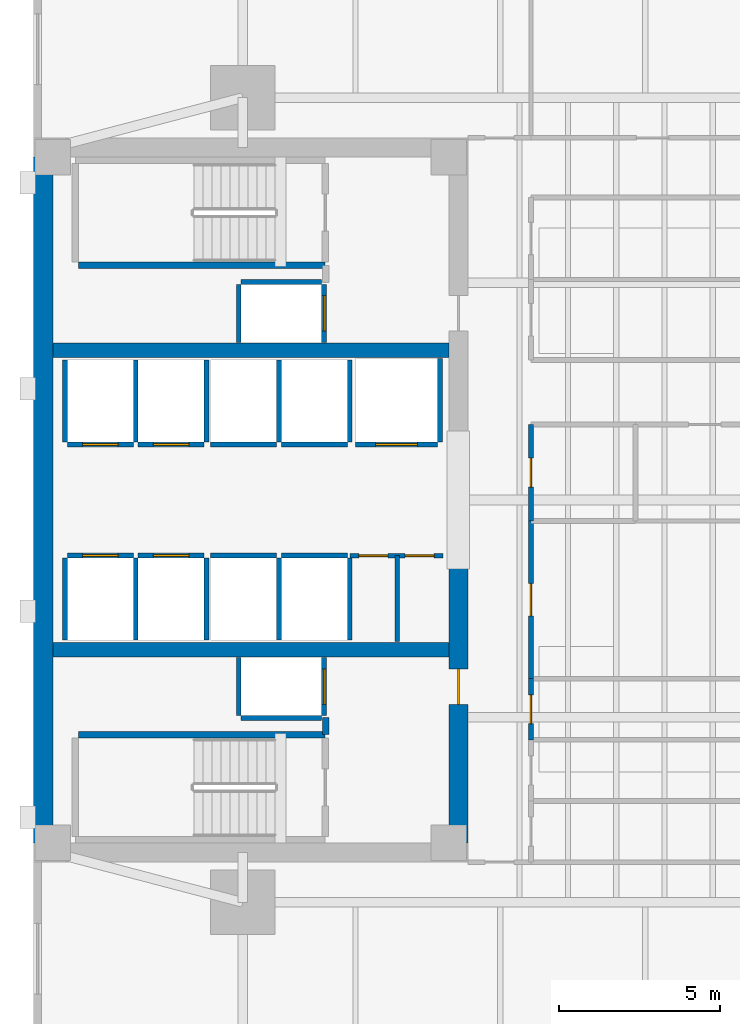
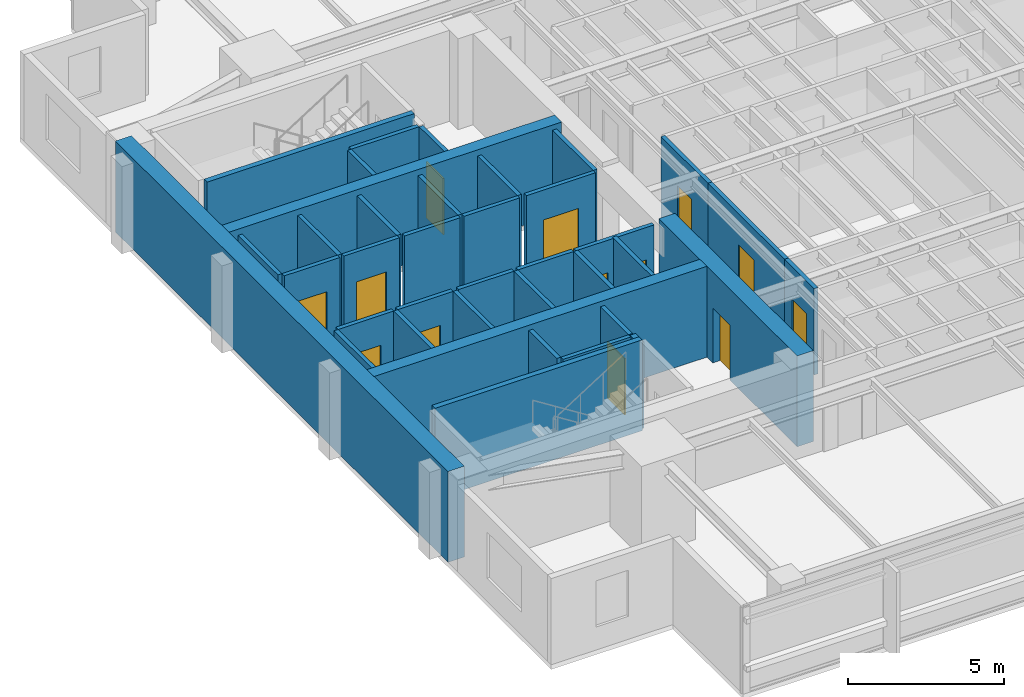
# One storey, part 8 of 14: 38 walls, 13 doors, 13 openings.
"""IFC4 building model written with IfcOpenShell, lengths in metres."""

from ifc_helpers import new_model, si_unit, direction, frame, frame_2d, origin, place, context, subcontext, project, spatial, rectangle, extrude, material, layer, layer_set, type_object, element, fill, save


model = new_model("IFC4")

# Units and contexts
model_context = context("Model", 3, precision=1e-05, world=origin(), true_north=direction((0.0, 1.0)))
body_context = subcontext(model_context, "Body", "Model", "MODEL_VIEW")
ifc_project = project(units=[si_unit("LENGTHUNIT", "METRE"), si_unit("AREAUNIT", "SQUARE_METRE"), si_unit("VOLUMEUNIT", "CUBIC_METRE"), si_unit("PLANEANGLEUNIT", "RADIAN"), si_unit("MASSUNIT", "GRAM", prefix="KILO")], contexts=[model_context])

# Site, building, storey
site_placement = place(None, origin())
site = spatial("IfcSite", under=ifc_project, at=site_placement, CompositionType="ELEMENT")
building_placement = place(site_placement, origin())
building = spatial("IfcBuilding", under=site, at=building_placement, Name="Kinhvarn Gate Tower", CompositionType="ELEMENT")
storey_placement = place(building_placement, frame((0.0, 0.0, 159.050048828125)))
storey = spatial("IfcBuildingStorey", under=building, at=storey_placement, Name="L42", CompositionType="ELEMENT", Elevation=159.050048828125)

# Walls
ifc_material_1 = material(Name="Concrete C50/60", Category="concrete")
ifc_layer_1 = layer(ifc_material_1, 0.449951171875)
ifc_layer_set_1 = layer_set([ifc_layer_1], Name="Concrete C50/60")
wall_type_1 = type_object("IfcWallType", Name="WL-CORE-450", PredefinedType="SHEAR", material=ifc_layer_set_1)
for number, where, z_axis, x_axis, name in (
    (1, (5.10009765625, 20.60009765625, 0.0), (0.0, 0.0, 1.0), (1.0, 0.0, 0.0), "Core South Spine Shear Wall L42 450 mm"),
    (2, (5.10009765625, 29.89990234375, 0.0), (0.0, 0.0, 1.0), (1.0, 0.0, 0.0), "Core North Spine Shear Wall L42 450 mm"),
):
    element("IfcWall", number, at=place(storey_placement, frame(where, z_axis=z_axis, x_axis=x_axis)), inside=storey, type_object=wall_type_1, Name=name, PredefinedType="SHEAR", context=body_context, shape_type="SweptSolid", body=[
        extrude(rectangle(XDim=12.2998046875, YDim=0.449951171875, at=frame_2d((6.14990234375, 0.0))), origin(), (0.0, 0.0, 1.0), 3.550048828125),
    ])

# Wall, opening, door
ifc_material_2 = material(Name="Concrete C60/75", Category="concrete")
ifc_layer_2 = layer(ifc_material_2, 0.60009765625)
ifc_layer_set_2 = layer_set([ifc_layer_2], Name="Concrete C60/75")
wall_type_2 = type_object("IfcWallType", Name="WL-CORE-600", PredefinedType="SHEAR", material=ifc_layer_set_2)
wall_1_placement = place(storey_placement, frame((17.699951171875, 14.60009765625, 0.0), z_axis=(0.0, 0.0, 1.0), x_axis=(0.0, 1.0, 0.0)))
wall_1 = element("IfcWall", 3, at=wall_1_placement, inside=storey, type_object=wall_type_2, Name="Core East-South Shear Pier L42 600 mm", PredefinedType="SHEAR", context=body_context, shape_type="SweptSolid", body=[
    extrude(rectangle(XDim=8.849853515625, YDim=0.60009765625, at=frame_2d((4.4248046875, 0.0))), origin(), (0.0, 0.0, 1.0), 3.550048828125),
])
opening_1_placement = place(wall_1_placement, frame((4.300048828125, 0.0, 0.0)))
opening_1 = element("IfcOpeningElement", 4, at=opening_1_placement, cuts=wall_1, Name="Opening FD-02", PredefinedType="OPENING", context=body_context, shape_type="SweptSolid", body=[
    extrude(rectangle(XDim=1.10009765625, YDim=2.14990234375, at=frame_2d((0.550048828125, 1.074951171875))), frame((0.0, 0.31005859375, 0.0), z_axis=(0.0, -1.0, 0.0), x_axis=(1.0, 0.0, 0.0)), (0.0, 0.0, 1.0), 0.6201171875),
])
ifc_material_3 = material(Name="Anodised aluminium AW-6063", Category="aluminium")
door_type_1 = type_object("IfcDoorType", Name="DR-FD-1100", OperationType="NOTDEFINED", PredefinedType="DOOR", material=ifc_material_3)
door_1_placement = place(opening_1_placement, origin())
door_1 = element("IfcDoor", 5, at=door_1_placement, inside=storey, type_object=door_type_1, Name="Firefighting Lobby Core Door (L42)", OperationType="SINGLE_SWING_RIGHT", OverallHeight=2.14990234375, OverallWidth=1.10009765625, PredefinedType="DOOR", context=body_context, shape_type="SweptSolid", body=[
    extrude(rectangle(XDim=1.10009765625, YDim=2.14990234375, at=frame_2d((0.550048828125, 1.074951171875))), frame((0.0, 0.02490234375, 0.0), z_axis=(0.0, -1.0, 0.0), x_axis=(1.0, 0.0, 0.0)), (0.0, 0.0, 1.0), 0.050048828125),
])
fill(opening_1, door_1)

# Wall
ifc_layer_3 = layer(ifc_material_2, 0.60009765625)
ifc_layer_set_3 = layer_set([ifc_layer_3], Name="Concrete C60/75")
wall_type_3 = type_object("IfcWallType", Name="WL-COREX-600", PredefinedType="SHEAR", material=ifc_layer_set_3)
wall_2_placement = place(storey_placement, frame((4.800048828125, 14.60009765625, 0.0), z_axis=(0.0, 0.0, 1.0), x_axis=(0.0, 1.0, 0.0)))
element("IfcWall", 6, at=wall_2_placement, inside=storey, type_object=wall_type_3, Name="Core West Shear Wall L42 600 mm", PredefinedType="SHEAR", context=body_context, shape_type="SweptSolid", body=[
    extrude(rectangle(XDim=21.2998046875, YDim=0.60009765625, at=frame_2d((10.64990234375, 0.0))), origin(), (0.0, 0.0, 1.0), 3.550048828125),
])

# Wall, opening, door
ifc_material_4 = material(Name="Gypsum acoustic partition board")
ifc_layer_4 = layer(ifc_material_4, 0.14990234375)
ifc_layer_set_4 = layer_set([ifc_layer_4], Name="Gypsum acoustic partition board")
wall_type_4 = type_object("IfcWallType", Name="WL-PLM-150F", PredefinedType="PLUMBINGWALL", material=ifc_layer_set_4)
wall_3_placement = place(storey_placement, frame((19.949951171875, 24.60009765625, 0.0), z_axis=(0.0, 0.0, 1.0), x_axis=(0.0, 1.0, 0.0)))
wall_3 = element("IfcWall", 7, at=wall_3_placement, inside=storey, type_object=wall_type_4, Name="Interior Partition PLW-150F (L42)", PredefinedType="PLUMBINGWALL", context=body_context, shape_type="SweptSolid", body=[
    extrude(rectangle(XDim=3.0, YDim=0.14990234375, at=frame_2d((1.5, 0.0))), origin(), (0.0, 0.0, 1.0), 3.369873046875),
])
opening_2_placement = place(wall_3_placement, frame((1.050048828125, 0.0, 0.0)))
opening_2 = element("IfcOpeningElement", 8, at=opening_2_placement, cuts=wall_3, Name="Opening FD-04", PredefinedType="OPENING", context=body_context, shape_type="SweptSolid", body=[
    extrude(rectangle(XDim=0.89990234375, YDim=2.10009765625, at=frame_2d((0.449951171875, 1.050048828125))), frame((0.0, 0.0849609375, 0.0), z_axis=(0.0, -1.0, 0.0), x_axis=(1.0, 0.0, 0.0)), (0.0, 0.0, 1.0), 0.169921875),
])
door_type_2 = type_object("IfcDoorType", Name="DR-FD-900", OperationType="NOTDEFINED", PredefinedType="DOOR", material=ifc_material_3)
door_2_placement = place(opening_2_placement, origin())
door_2 = element("IfcDoor", 9, at=door_2_placement, inside=storey, type_object=door_type_2, Name="Rated Riser & Service Closet Fire Door 900x2100 mm (L42)", OperationType="SINGLE_SWING_LEFT", OverallHeight=2.10009765625, OverallWidth=0.89990234375, PredefinedType="DOOR", context=body_context, shape_type="SweptSolid", body=[
    extrude(rectangle(XDim=0.89990234375, YDim=2.10009765625, at=frame_2d((0.449951171875, 1.050048828125))), frame((0.0, 0.02490234375, 0.0), z_axis=(0.0, -1.0, 0.0), x_axis=(1.0, 0.0, 0.0)), (0.0, 0.0, 1.0), 0.050048828125),
])
fill(opening_2, door_2)

wall_4_placement = place(storey_placement, frame((19.949951171875, 17.800048828125, 0.0), z_axis=(0.0, 0.0, 1.0), x_axis=(0.0, 1.0, 0.0)))
wall_4 = element("IfcWall", 10, at=wall_4_placement, inside=storey, type_object=wall_type_4, Name="Interior Partition PLW-150F (L42)", PredefinedType="PLUMBINGWALL", context=body_context, shape_type="SweptSolid", body=[
    extrude(rectangle(XDim=1.89990234375, YDim=0.14990234375, at=frame_2d((0.949951171875, 0.0))), origin(), (0.0, 0.0, 1.0), 3.369873046875),
])
opening_3_placement = place(wall_4_placement, frame((0.5, 0.0, 0.0)))
opening_3 = element("IfcOpeningElement", 11, at=opening_3_placement, cuts=wall_4, Name="Opening FD-04", PredefinedType="OPENING", context=body_context, shape_type="SweptSolid", body=[
    extrude(rectangle(XDim=0.89990234375, YDim=2.10009765625, at=frame_2d((0.449951171875, 1.050048828125))), frame((0.0, 0.0849609375, 0.0), z_axis=(0.0, -1.0, 0.0), x_axis=(1.0, 0.0, 0.0)), (0.0, 0.0, 1.0), 0.169921875),
])
door_3_placement = place(opening_3_placement, origin())
door_3 = element("IfcDoor", 12, at=door_3_placement, inside=storey, type_object=door_type_2, Name="Rated Riser & Service Closet Fire Door 900x2100 mm (L42)", OperationType="SINGLE_SWING_LEFT", OverallHeight=2.10009765625, OverallWidth=0.89990234375, PredefinedType="DOOR", context=body_context, shape_type="SweptSolid", body=[
    extrude(rectangle(XDim=0.89990234375, YDim=2.10009765625, at=frame_2d((0.449951171875, 1.050048828125))), frame((0.0, 0.02490234375, 0.0), z_axis=(0.0, -1.0, 0.0), x_axis=(1.0, 0.0, 0.0)), (0.0, 0.0, 1.0), 0.050048828125),
])
fill(opening_3, door_3)

# Wall
ifc_layer_5 = layer(ifc_material_4, 0.14990234375)
ifc_layer_set_5 = layer_set([ifc_layer_5], Name="Gypsum acoustic partition board")
wall_type_5 = type_object("IfcWallType", Name="WL-PRT-150F", PredefinedType="PARTITIONING", material=ifc_layer_set_5)
wall_5_placement = place(storey_placement, frame((15.800048828125, 20.85009765625, 0.0), z_axis=(0.0, 0.0, 1.0), x_axis=(0.0, 1.0, 0.0)))
element("IfcWall", 13, at=wall_5_placement, inside=storey, type_object=wall_type_5, Name="Interior Partition PW-150F (L42)", PredefinedType="PARTITIONING", context=body_context, shape_type="SweptSolid", body=[
    extrude(rectangle(XDim=2.669921875, YDim=0.14990234375, at=frame_2d((1.3349609375, 0.0))), origin(), (0.0, 0.0, 1.0), 3.369873046875),
])

# Wall, openings, doors
wall_6_placement = place(storey_placement, frame((14.330078125, 23.52001953125, 0.0), z_axis=(0.0, 0.0, 1.0), x_axis=(1.0, 0.0, 0.0)))
wall_6 = element("IfcWall", 14, at=wall_6_placement, inside=storey, type_object=wall_type_5, Name="Interior Partition PW-150F (L42)", PredefinedType="PARTITIONING", context=body_context, shape_type="SweptSolid", body=[
    extrude(rectangle(XDim=2.889892578125, YDim=0.14990234375, at=frame_2d((1.44482421875, 0.0))), origin(), (0.0, 0.0, 1.0), 3.369873046875),
])
opening_4_placement = place(wall_6_placement, frame((0.280029296875, 0.0, 0.0)))
opening_4 = element("IfcOpeningElement", 15, at=opening_4_placement, cuts=wall_6, Name="Opening FD-04", PredefinedType="OPENING", context=body_context, shape_type="SweptSolid", body=[
    extrude(rectangle(XDim=0.89990234375, YDim=2.10009765625, at=frame_2d((0.449951171875, 1.050048828125))), frame((0.0, 0.0849609375, 0.0), z_axis=(0.0, -1.0, 0.0), x_axis=(1.0, 0.0, 0.0)), (0.0, 0.0, 1.0), 0.169921875),
])
opening_5_placement = place(wall_6_placement, frame((1.7099609375, 0.0, 0.0)))
opening_5 = element("IfcOpeningElement", 16, at=opening_5_placement, cuts=wall_6, Name="Opening FD-04", PredefinedType="OPENING", context=body_context, shape_type="SweptSolid", body=[
    extrude(rectangle(XDim=0.89990234375, YDim=2.10009765625, at=frame_2d((0.449951171875, 1.050048828125))), frame((0.0, 0.0849609375, 0.0), z_axis=(0.0, -1.0, 0.0), x_axis=(1.0, 0.0, 0.0)), (0.0, 0.0, 1.0), 0.169921875),
])
door_4_placement = place(opening_4_placement, origin())
door_4 = element("IfcDoor", 17, at=door_4_placement, inside=storey, type_object=door_type_2, Name="Rated Riser & Service Closet Fire Door 900x2100 mm (L42)", OperationType="SINGLE_SWING_LEFT", OverallHeight=2.10009765625, OverallWidth=0.89990234375, PredefinedType="DOOR", context=body_context, shape_type="SweptSolid", body=[
    extrude(rectangle(XDim=0.89990234375, YDim=2.10009765625, at=frame_2d((0.449951171875, 1.050048828125))), frame((0.0, 0.02490234375, 0.0), z_axis=(0.0, -1.0, 0.0), x_axis=(1.0, 0.0, 0.0)), (0.0, 0.0, 1.0), 0.050048828125),
])
fill(opening_4, door_4)
door_5_placement = place(opening_5_placement, origin())
door_5 = element("IfcDoor", 18, at=door_5_placement, inside=storey, type_object=door_type_2, Name="Rated Riser & Service Closet Fire Door 900x2100 mm (L42)", OperationType="SINGLE_SWING_RIGHT", OverallHeight=2.10009765625, OverallWidth=0.89990234375, PredefinedType="DOOR", context=body_context, shape_type="SweptSolid", body=[
    extrude(rectangle(XDim=0.89990234375, YDim=2.10009765625, at=frame_2d((0.449951171875, 1.050048828125))), frame((0.0, 0.02490234375, 0.0), z_axis=(0.0, -1.0, 0.0), x_axis=(1.0, 0.0, 0.0)), (0.0, 0.0, 1.0), 0.050048828125),
])
fill(opening_5, door_5)

# Wall, opening, door
wall_7_placement = place(storey_placement, frame((19.949951171875, 19.699951171875, 0.0), z_axis=(0.0, 0.0, 1.0), x_axis=(0.0, 1.0, 0.0)))
wall_7 = element("IfcWall", 19, at=wall_7_placement, inside=storey, type_object=wall_type_5, Name="Interior Partition PW-150F (L42)", PredefinedType="PARTITIONING", context=body_context, shape_type="SweptSolid", body=[
    extrude(rectangle(XDim=4.900146484375, YDim=0.14990234375, at=frame_2d((2.4501953125, 0.0))), origin(), (0.0, 0.0, 1.0), 3.369873046875),
])
opening_6_placement = place(wall_7_placement, frame((1.949951171875, 0.0, 0.0)))
opening_6 = element("IfcOpeningElement", 20, at=opening_6_placement, cuts=wall_7, Name="Opening ID-02", PredefinedType="OPENING", context=body_context, shape_type="SweptSolid", body=[
    extrude(rectangle(XDim=1.0, YDim=2.14990234375, at=frame_2d((0.5, 1.074951171875))), frame((0.0, 0.0849609375, 0.0), z_axis=(0.0, -1.0, 0.0), x_axis=(1.0, 0.0, 0.0)), (0.0, 0.0, 1.0), 0.169921875),
])
door_type_3 = type_object("IfcDoorType", Name="DR-INT-1000", OperationType="NOTDEFINED", PredefinedType="DOOR", material=ifc_material_3)
door_6_placement = place(opening_6_placement, origin())
door_6 = element("IfcDoor", 21, at=door_6_placement, inside=storey, type_object=door_type_3, Name="Standard Office & Meeting Room Door 1000x2150 mm (L42)", OperationType="SINGLE_SWING_RIGHT", OverallHeight=2.14990234375, OverallWidth=1.0, PredefinedType="DOOR", context=body_context, shape_type="SweptSolid", body=[
    extrude(rectangle(XDim=1.0, YDim=2.14990234375, at=frame_2d((0.5, 1.074951171875))), frame((0.0, 0.02490234375, 0.0), z_axis=(0.0, -1.0, 0.0), x_axis=(1.0, 0.0, 0.0)), (0.0, 0.0, 1.0), 0.050048828125),
])
fill(opening_6, door_6)

# Wall
ifc_layer_6 = layer(ifc_material_4, 0.199951171875)
ifc_layer_set_6 = layer_set([ifc_layer_6], Name="Gypsum acoustic partition board")
wall_type_6 = type_object("IfcWallType", Name="WL-PRT-200", PredefinedType="PARTITIONING", material=ifc_layer_set_6)
wall_8_placement = place(storey_placement, frame((13.580078125, 17.9599609375, 0.0), z_axis=(0.0, 0.0, 1.0), x_axis=(0.0, 1.0, 0.0)))
element("IfcWall", 22, at=wall_8_placement, inside=storey, type_object=wall_type_6, Name="Interior Partition PW-200 (L42)", PredefinedType="PARTITIONING", context=body_context, shape_type="SweptSolid", body=[
    extrude(rectangle(XDim=0.5400390625, YDim=0.199951171875, at=frame_2d((0.27001953125, 0.0))), origin(), (0.0, 0.0, 1.0), 3.369873046875),
])

# Wall, opening, door
ifc_layer_7 = layer(ifc_material_4, 0.14990234375)
ifc_layer_set_7 = layer_set([ifc_layer_7], Name="Gypsum acoustic partition board")
wall_type_7 = type_object("IfcWallType", Name="WL-SHF-150", PredefinedType="PARTITIONING", material=ifc_layer_set_7)
wall_9_placement = place(storey_placement, frame((5.550048828125, 23.52490234375, 0.0), z_axis=(0.0, 0.0, 1.0), x_axis=(1.0, 0.0, 0.0)))
wall_9 = element("IfcWall", 23, at=wall_9_placement, inside=storey, type_object=wall_type_7, Name="Elevator PM-05 Landing Wall (L42)", PredefinedType="PARTITIONING", context=body_context, shape_type="SweptSolid", body=[
    extrude(rectangle(XDim=2.050048828125, YDim=0.14990234375, at=frame_2d((1.02490234375, 0.0))), origin(), (0.0, 0.0, 1.0), 3.369873046875),
])
opening_7_placement = place(wall_9_placement, frame((0.47509765625, 0.0, 0.0)))
opening_7 = element("IfcOpeningElement", 24, at=opening_7_placement, cuts=wall_9, Name="Opening LD-01", PredefinedType="OPENING", context=body_context, shape_type="SweptSolid", body=[
    extrude(rectangle(XDim=1.10009765625, YDim=2.199951171875, at=frame_2d((0.550048828125, 1.10009765625))), frame((0.0, 0.0849609375, 0.0), z_axis=(0.0, -1.0, 0.0), x_axis=(1.0, 0.0, 0.0)), (0.0, 0.0, 1.0), 0.169921875),
])
door_type_4 = type_object("IfcDoorType", Name="DR-LND-PAS", OperationType="NOTDEFINED", PredefinedType="DOOR", material=ifc_material_3)
door_7_placement = place(opening_7_placement, origin())
door_7 = element("IfcDoor", 25, at=door_7_placement, inside=storey, type_object=door_type_4, Name="Elevator PM-05 Sliding Landing Door (L42)", OperationType="DOUBLE_DOOR_SLIDING", OverallHeight=2.199951171875, OverallWidth=1.10009765625, PredefinedType="DOOR", context=body_context, shape_type="SweptSolid", body=[
    extrude(rectangle(XDim=1.10009765625, YDim=2.199951171875, at=frame_2d((0.550048828125, 1.10009765625))), frame((0.0, 0.02490234375, 0.0), z_axis=(0.0, -1.0, 0.0), x_axis=(1.0, 0.0, 0.0)), (0.0, 0.0, 1.0), 0.050048828125),
])
fill(opening_7, door_7)

# Walls
for number, where, z_axis, x_axis, name in (
    (26, (5.47509765625, 20.89990234375, 0.0), (0.0, 0.0, 1.0), (0.0, 1.0, 0.0), "Elevator PM-05 Hoistway Wall W (L42)"),
    (27, (7.675048828125, 20.89990234375, 0.0), (0.0, 0.0, 1.0), (0.0, 1.0, 0.0), "Elevator PM-05 Hoistway Wall E (L42)"),
):
    element("IfcWall", number, at=place(storey_placement, frame(where, z_axis=z_axis, x_axis=x_axis)), inside=storey, type_object=wall_type_7, Name=name, PredefinedType="PARTITIONING", context=body_context, shape_type="SweptSolid", body=[
        extrude(rectangle(XDim=2.550048828125, YDim=0.14990234375, at=frame_2d((1.27490234375, 0.0))), origin(), (0.0, 0.0, 1.0), 3.369873046875),
    ])

# Wall, opening, door
wall_10_placement = place(storey_placement, frame((7.75, 23.52490234375, 0.0), z_axis=(0.0, 0.0, 1.0), x_axis=(1.0, 0.0, 0.0)))
wall_10 = element("IfcWall", 28, at=wall_10_placement, inside=storey, type_object=wall_type_7, Name="Elevator PM-06 Landing Wall (L42)", PredefinedType="PARTITIONING", context=body_context, shape_type="SweptSolid", body=[
    extrude(rectangle(XDim=2.050048828125, YDim=0.14990234375, at=frame_2d((1.02490234375, 0.0))), origin(), (0.0, 0.0, 1.0), 3.369873046875),
])
opening_8_placement = place(wall_10_placement, frame((0.47509765625, 0.0, 0.0)))
opening_8 = element("IfcOpeningElement", 29, at=opening_8_placement, cuts=wall_10, Name="Opening LD-01", PredefinedType="OPENING", context=body_context, shape_type="SweptSolid", body=[
    extrude(rectangle(XDim=1.10009765625, YDim=2.199951171875, at=frame_2d((0.550048828125, 1.10009765625))), frame((0.0, 0.0849609375, 0.0), z_axis=(0.0, -1.0, 0.0), x_axis=(1.0, 0.0, 0.0)), (0.0, 0.0, 1.0), 0.169921875),
])
door_8_placement = place(opening_8_placement, origin())
door_8 = element("IfcDoor", 30, at=door_8_placement, inside=storey, type_object=door_type_4, Name="Elevator PM-06 Sliding Landing Door (L42)", OperationType="DOUBLE_DOOR_SLIDING", OverallHeight=2.199951171875, OverallWidth=1.10009765625, PredefinedType="DOOR", context=body_context, shape_type="SweptSolid", body=[
    extrude(rectangle(XDim=1.10009765625, YDim=2.199951171875, at=frame_2d((0.550048828125, 1.10009765625))), frame((0.0, 0.02490234375, 0.0), z_axis=(0.0, -1.0, 0.0), x_axis=(1.0, 0.0, 0.0)), (0.0, 0.0, 1.0), 0.050048828125),
])
fill(opening_8, door_8)

# Wall
wall_11_placement = place(storey_placement, frame((9.875, 20.89990234375, 0.0), z_axis=(0.0, 0.0, 1.0), x_axis=(0.0, 1.0, 0.0)))
element("IfcWall", 31, at=wall_11_placement, inside=storey, type_object=wall_type_7, Name="Elevator PM-06 Hoistway Wall E (L42)", PredefinedType="PARTITIONING", context=body_context, shape_type="SweptSolid", body=[
    extrude(rectangle(XDim=2.550048828125, YDim=0.14990234375, at=frame_2d((1.27490234375, 0.0))), origin(), (0.0, 0.0, 1.0), 3.369873046875),
])

# Wall, opening, door
wall_12_placement = place(storey_placement, frame((5.550048828125, 26.97509765625, 0.0), z_axis=(0.0, 0.0, 1.0), x_axis=(1.0, 0.0, 0.0)))
wall_12 = element("IfcWall", 32, at=wall_12_placement, inside=storey, type_object=wall_type_7, Name="Elevator PM-07 Landing Wall (L42)", PredefinedType="PARTITIONING", context=body_context, shape_type="SweptSolid", body=[
    extrude(rectangle(XDim=2.050048828125, YDim=0.14990234375, at=frame_2d((1.02490234375, 0.0))), origin(), (0.0, 0.0, 1.0), 3.369873046875),
])
opening_9_placement = place(wall_12_placement, frame((0.47509765625, 0.0, 0.0)))
opening_9 = element("IfcOpeningElement", 33, at=opening_9_placement, cuts=wall_12, Name="Opening LD-01", PredefinedType="OPENING", context=body_context, shape_type="SweptSolid", body=[
    extrude(rectangle(XDim=1.10009765625, YDim=2.199951171875, at=frame_2d((0.550048828125, 1.10009765625))), frame((0.0, 0.0849609375, 0.0), z_axis=(0.0, -1.0, 0.0), x_axis=(1.0, 0.0, 0.0)), (0.0, 0.0, 1.0), 0.169921875),
])
door_9_placement = place(opening_9_placement, origin())
door_9 = element("IfcDoor", 34, at=door_9_placement, inside=storey, type_object=door_type_4, Name="Elevator PM-07 Sliding Landing Door (L42)", OperationType="DOUBLE_DOOR_SLIDING", OverallHeight=2.199951171875, OverallWidth=1.10009765625, PredefinedType="DOOR", context=body_context, shape_type="SweptSolid", body=[
    extrude(rectangle(XDim=1.10009765625, YDim=2.199951171875, at=frame_2d((0.550048828125, 1.10009765625))), frame((0.0, 0.02490234375, 0.0), z_axis=(0.0, -1.0, 0.0), x_axis=(1.0, 0.0, 0.0)), (0.0, 0.0, 1.0), 0.050048828125),
])
fill(opening_9, door_9)

# Walls
for number, where, z_axis, x_axis, name in (
    (35, (5.47509765625, 27.050048828125, 0.0), (0.0, 0.0, 1.0), (0.0, 1.0, 0.0), "Elevator PM-07 Hoistway Wall W (L42)"),
    (36, (7.675048828125, 27.050048828125, 0.0), (0.0, 0.0, 1.0), (0.0, 1.0, 0.0), "Elevator PM-07 Hoistway Wall E (L42)"),
):
    element("IfcWall", number, at=place(storey_placement, frame(where, z_axis=z_axis, x_axis=x_axis)), inside=storey, type_object=wall_type_7, Name=name, PredefinedType="PARTITIONING", context=body_context, shape_type="SweptSolid", body=[
        extrude(rectangle(XDim=2.550048828125, YDim=0.14990234375, at=frame_2d((1.27490234375, 0.0))), origin(), (0.0, 0.0, 1.0), 3.369873046875),
    ])

# Wall, opening, door
wall_13_placement = place(storey_placement, frame((7.75, 26.97509765625, 0.0), z_axis=(0.0, 0.0, 1.0), x_axis=(1.0, 0.0, 0.0)))
wall_13 = element("IfcWall", 37, at=wall_13_placement, inside=storey, type_object=wall_type_7, Name="Elevator PM-08 Landing Wall (L42)", PredefinedType="PARTITIONING", context=body_context, shape_type="SweptSolid", body=[
    extrude(rectangle(XDim=2.050048828125, YDim=0.14990234375, at=frame_2d((1.02490234375, 0.0))), origin(), (0.0, 0.0, 1.0), 3.369873046875),
])
opening_10_placement = place(wall_13_placement, frame((0.47509765625, 0.0, 0.0)))
opening_10 = element("IfcOpeningElement", 38, at=opening_10_placement, cuts=wall_13, Name="Opening LD-01", PredefinedType="OPENING", context=body_context, shape_type="SweptSolid", body=[
    extrude(rectangle(XDim=1.10009765625, YDim=2.199951171875, at=frame_2d((0.550048828125, 1.10009765625))), frame((0.0, 0.0849609375, 0.0), z_axis=(0.0, -1.0, 0.0), x_axis=(1.0, 0.0, 0.0)), (0.0, 0.0, 1.0), 0.169921875),
])
door_10_placement = place(opening_10_placement, origin())
door_10 = element("IfcDoor", 39, at=door_10_placement, inside=storey, type_object=door_type_4, Name="Elevator PM-08 Sliding Landing Door (L42)", OperationType="DOUBLE_DOOR_SLIDING", OverallHeight=2.199951171875, OverallWidth=1.10009765625, PredefinedType="DOOR", context=body_context, shape_type="SweptSolid", body=[
    extrude(rectangle(XDim=1.10009765625, YDim=2.199951171875, at=frame_2d((0.550048828125, 1.10009765625))), frame((0.0, 0.02490234375, 0.0), z_axis=(0.0, -1.0, 0.0), x_axis=(1.0, 0.0, 0.0)), (0.0, 0.0, 1.0), 0.050048828125),
])
fill(opening_10, door_10)

# Walls
wall_14_placement = place(storey_placement, frame((9.875, 27.050048828125, 0.0), z_axis=(0.0, 0.0, 1.0), x_axis=(0.0, 1.0, 0.0)))
element("IfcWall", 40, at=wall_14_placement, inside=storey, type_object=wall_type_7, Name="Elevator PM-08 Hoistway Wall E (L42)", PredefinedType="PARTITIONING", context=body_context, shape_type="SweptSolid", body=[
    extrude(rectangle(XDim=2.550048828125, YDim=0.14990234375, at=frame_2d((1.27490234375, 0.0))), origin(), (0.0, 0.0, 1.0), 3.369873046875),
])
wall_15_placement = place(storey_placement, frame((10.0, 23.52490234375, 0.0), z_axis=(0.0, 0.0, 1.0), x_axis=(1.0, 0.0, 0.0)))
element("IfcWall", 41, at=wall_15_placement, inside=storey, type_object=wall_type_7, Name="Elevator PH-09 Landing Wall (L42)", PredefinedType="PARTITIONING", context=body_context, shape_type="SweptSolid", body=[
    extrude(rectangle(XDim=2.050048828125, YDim=0.14990234375, at=frame_2d((1.02490234375, 0.0))), origin(), (0.0, 0.0, 1.0), 3.369873046875),
])
wall_16_placement = place(storey_placement, frame((12.125, 20.89990234375, 0.0), z_axis=(0.0, 0.0, 1.0), x_axis=(0.0, 1.0, 0.0)))
element("IfcWall", 42, at=wall_16_placement, inside=storey, type_object=wall_type_7, Name="Elevator PH-09 Hoistway Wall E (L42)", PredefinedType="PARTITIONING", context=body_context, shape_type="SweptSolid", body=[
    extrude(rectangle(XDim=2.550048828125, YDim=0.14990234375, at=frame_2d((1.27490234375, 0.0))), origin(), (0.0, 0.0, 1.0), 3.369873046875),
])
wall_17_placement = place(storey_placement, frame((12.199951171875, 23.52490234375, 0.0), z_axis=(0.0, 0.0, 1.0), x_axis=(1.0, 0.0, 0.0)))
element("IfcWall", 43, at=wall_17_placement, inside=storey, type_object=wall_type_7, Name="Elevator PH-10 Landing Wall (L42)", PredefinedType="PARTITIONING", context=body_context, shape_type="SweptSolid", body=[
    extrude(rectangle(XDim=2.050048828125, YDim=0.14990234375, at=frame_2d((1.02490234375, 0.0))), origin(), (0.0, 0.0, 1.0), 3.369873046875),
])
wall_18_placement = place(storey_placement, frame((14.324951171875, 20.89990234375, 0.0), z_axis=(0.0, 0.0, 1.0), x_axis=(0.0, 1.0, 0.0)))
element("IfcWall", 44, at=wall_18_placement, inside=storey, type_object=wall_type_7, Name="Elevator PH-10 Hoistway Wall E (L42)", PredefinedType="PARTITIONING", context=body_context, shape_type="SweptSolid", body=[
    extrude(rectangle(XDim=2.550048828125, YDim=0.14990234375, at=frame_2d((1.27490234375, 0.0))), origin(), (0.0, 0.0, 1.0), 3.369873046875),
])
wall_19_placement = place(storey_placement, frame((10.0, 26.97509765625, 0.0), z_axis=(0.0, 0.0, 1.0), x_axis=(1.0, 0.0, 0.0)))
element("IfcWall", 45, at=wall_19_placement, inside=storey, type_object=wall_type_7, Name="Elevator PH-11 Landing Wall (L42)", PredefinedType="PARTITIONING", context=body_context, shape_type="SweptSolid", body=[
    extrude(rectangle(XDim=2.050048828125, YDim=0.14990234375, at=frame_2d((1.02490234375, 0.0))), origin(), (0.0, 0.0, 1.0), 3.369873046875),
])
wall_20_placement = place(storey_placement, frame((12.125, 27.050048828125, 0.0), z_axis=(0.0, 0.0, 1.0), x_axis=(0.0, 1.0, 0.0)))
element("IfcWall", 46, at=wall_20_placement, inside=storey, type_object=wall_type_7, Name="Elevator PH-11 Hoistway Wall E (L42)", PredefinedType="PARTITIONING", context=body_context, shape_type="SweptSolid", body=[
    extrude(rectangle(XDim=2.550048828125, YDim=0.14990234375, at=frame_2d((1.27490234375, 0.0))), origin(), (0.0, 0.0, 1.0), 3.369873046875),
])
wall_21_placement = place(storey_placement, frame((12.199951171875, 26.97509765625, 0.0), z_axis=(0.0, 0.0, 1.0), x_axis=(1.0, 0.0, 0.0)))
element("IfcWall", 47, at=wall_21_placement, inside=storey, type_object=wall_type_7, Name="Elevator PH-12 Landing Wall (L42)", PredefinedType="PARTITIONING", context=body_context, shape_type="SweptSolid", body=[
    extrude(rectangle(XDim=2.050048828125, YDim=0.14990234375, at=frame_2d((1.02490234375, 0.0))), origin(), (0.0, 0.0, 1.0), 3.369873046875),
])
wall_22_placement = place(storey_placement, frame((14.324951171875, 27.050048828125, 0.0), z_axis=(0.0, 0.0, 1.0), x_axis=(0.0, 1.0, 0.0)))
element("IfcWall", 48, at=wall_22_placement, inside=storey, type_object=wall_type_7, Name="Elevator PH-12 Hoistway Wall E (L42)", PredefinedType="PARTITIONING", context=body_context, shape_type="SweptSolid", body=[
    extrude(rectangle(XDim=2.550048828125, YDim=0.14990234375, at=frame_2d((1.27490234375, 0.0))), origin(), (0.0, 0.0, 1.0), 3.369873046875),
])

# Wall, opening, door
wall_23_placement = place(storey_placement, frame((14.5, 26.97509765625, 0.0), z_axis=(0.0, 0.0, 1.0), x_axis=(1.0, 0.0, 0.0)))
wall_23 = element("IfcWall", 49, at=wall_23_placement, inside=storey, type_object=wall_type_7, Name="Elevator SV-01 Landing Wall (L42)", PredefinedType="PARTITIONING", context=body_context, shape_type="SweptSolid", body=[
    extrude(rectangle(XDim=2.550048828125, YDim=0.14990234375, at=frame_2d((1.27490234375, 0.0))), origin(), (0.0, 0.0, 1.0), 3.369873046875),
])
opening_11_placement = place(wall_23_placement, frame((0.625, 0.0, 0.0)))
opening_11 = element("IfcOpeningElement", 50, at=opening_11_placement, cuts=wall_23, Name="Opening LD-02", PredefinedType="OPENING", context=body_context, shape_type="SweptSolid", body=[
    extrude(rectangle(XDim=1.300048828125, YDim=2.199951171875, at=frame_2d((0.64990234375, 1.10009765625))), frame((0.0, 0.0849609375, 0.0), z_axis=(0.0, -1.0, 0.0), x_axis=(1.0, 0.0, 0.0)), (0.0, 0.0, 1.0), 0.169921875),
])
door_type_5 = type_object("IfcDoorType", Name="DR-LND-SRV", OperationType="NOTDEFINED", PredefinedType="DOOR", material=ifc_material_3)
door_11_placement = place(opening_11_placement, origin())
door_11 = element("IfcDoor", 51, at=door_11_placement, inside=storey, type_object=door_type_5, Name="Elevator SV-01 Sliding Landing Door (L42)", OperationType="DOUBLE_DOOR_SLIDING", OverallHeight=2.199951171875, OverallWidth=1.300048828125, PredefinedType="DOOR", context=body_context, shape_type="SweptSolid", body=[
    extrude(rectangle(XDim=1.300048828125, YDim=2.199951171875, at=frame_2d((0.64990234375, 1.10009765625))), frame((0.0, 0.02490234375, 0.0), z_axis=(0.0, -1.0, 0.0), x_axis=(1.0, 0.0, 0.0)), (0.0, 0.0, 1.0), 0.050048828125),
])
fill(opening_11, door_11)

# Walls
wall_24_placement = place(storey_placement, frame((17.125, 27.050048828125, 0.0), z_axis=(0.0, 0.0, 1.0), x_axis=(0.0, 1.0, 0.0)))
element("IfcWall", 52, at=wall_24_placement, inside=storey, type_object=wall_type_7, Name="Elevator SV-01 Hoistway Wall E (L42)", PredefinedType="PARTITIONING", context=body_context, shape_type="SweptSolid", body=[
    extrude(rectangle(XDim=2.599853515625, YDim=0.14990234375, at=frame_2d((1.2998046875, 0.0))), origin(), (0.0, 0.0, 1.0), 3.369873046875),
])
wall_25_placement = place(storey_placement, frame((10.949951171875, 18.47509765625, 0.0), z_axis=(0.0, 0.0, 1.0), x_axis=(1.0, 0.0, 0.0)))
element("IfcWall", 53, at=wall_25_placement, inside=storey, type_object=wall_type_7, Name="Elevator FF1 Hoistway Wall S (L42)", PredefinedType="PARTITIONING", context=body_context, shape_type="SweptSolid", body=[
    extrude(rectangle(XDim=2.5, YDim=0.14990234375, at=frame_2d((1.25, 0.0))), origin(), (0.0, 0.0, 1.0), 3.369873046875),
])
wall_26_placement = place(storey_placement, frame((10.875, 18.550048828125, 0.0), z_axis=(0.0, 0.0, 1.0), x_axis=(0.0, 1.0, 0.0)))
element("IfcWall", 54, at=wall_26_placement, inside=storey, type_object=wall_type_7, Name="Elevator FF1 Hoistway Wall W (L42)", PredefinedType="PARTITIONING", context=body_context, shape_type="SweptSolid", body=[
    extrude(rectangle(XDim=1.800048828125, YDim=0.14990234375, at=frame_2d((0.89990234375, 0.0))), origin(), (0.0, 0.0, 1.0), 3.369873046875),
])

# Wall, opening, door
wall_27_placement = place(storey_placement, frame((13.52490234375, 18.550048828125, 0.0), z_axis=(0.0, 0.0, 1.0), x_axis=(0.0, 1.0, 0.0)))
wall_27 = element("IfcWall", 55, at=wall_27_placement, inside=storey, type_object=wall_type_7, Name="Elevator FF1 Landing Wall (L42)", PredefinedType="PARTITIONING", context=body_context, shape_type="SweptSolid", body=[
    extrude(rectangle(XDim=1.800048828125, YDim=0.14990234375, at=frame_2d((0.89990234375, 0.0))), origin(), (0.0, 0.0, 1.0), 3.369873046875),
])
opening_12_placement = place(wall_27_placement, frame((0.35009765625, 0.0, 0.0)))
opening_12 = element("IfcOpeningElement", 56, at=opening_12_placement, cuts=wall_27, Name="Opening LD-03", PredefinedType="OPENING", context=body_context, shape_type="SweptSolid", body=[
    extrude(rectangle(XDim=1.10009765625, YDim=2.199951171875, at=frame_2d((0.550048828125, 1.10009765625))), frame((0.0, 0.0849609375, 0.0), z_axis=(0.0, -1.0, 0.0), x_axis=(1.0, 0.0, 0.0)), (0.0, 0.0, 1.0), 0.169921875),
])
door_type_6 = type_object("IfcDoorType", Name="DR-LND-FF", OperationType="NOTDEFINED", PredefinedType="DOOR", material=ifc_material_3)
door_12_placement = place(opening_12_placement, origin())
door_12 = element("IfcDoor", 57, at=door_12_placement, inside=storey, type_object=door_type_6, Name="Elevator FF1 Sliding Landing Door (L42)", OperationType="DOUBLE_DOOR_SLIDING", OverallHeight=2.199951171875, OverallWidth=1.10009765625, PredefinedType="DOOR", context=body_context, shape_type="SweptSolid", body=[
    extrude(rectangle(XDim=1.10009765625, YDim=2.199951171875, at=frame_2d((0.550048828125, 1.10009765625))), frame((0.0, 0.02490234375, 0.0), z_axis=(0.0, -1.0, 0.0), x_axis=(1.0, 0.0, 0.0)), (0.0, 0.0, 1.0), 0.050048828125),
])
fill(opening_12, door_12)

# Walls
wall_28_placement = place(storey_placement, frame((10.949951171875, 32.02490234375, 0.0), z_axis=(0.0, 0.0, 1.0), x_axis=(1.0, 0.0, 0.0)))
element("IfcWall", 58, at=wall_28_placement, inside=storey, type_object=wall_type_7, Name="Elevator FF2 Hoistway Wall N (L42)", PredefinedType="PARTITIONING", context=body_context, shape_type="SweptSolid", body=[
    extrude(rectangle(XDim=2.5, YDim=0.14990234375, at=frame_2d((1.25, 0.0))), origin(), (0.0, 0.0, 1.0), 3.369873046875),
])
wall_29_placement = place(storey_placement, frame((10.875, 30.14990234375, 0.0), z_axis=(0.0, 0.0, 1.0), x_axis=(0.0, 1.0, 0.0)))
element("IfcWall", 59, at=wall_29_placement, inside=storey, type_object=wall_type_7, Name="Elevator FF2 Hoistway Wall W (L42)", PredefinedType="PARTITIONING", context=body_context, shape_type="SweptSolid", body=[
    extrude(rectangle(XDim=1.800048828125, YDim=0.14990234375, at=frame_2d((0.89990234375, 0.0))), origin(), (0.0, 0.0, 1.0), 3.369873046875),
])

# Wall, opening, door
wall_30_placement = place(storey_placement, frame((13.52490234375, 30.14990234375, 0.0), z_axis=(0.0, 0.0, 1.0), x_axis=(0.0, 1.0, 0.0)))
wall_30 = element("IfcWall", 60, at=wall_30_placement, inside=storey, type_object=wall_type_7, Name="Elevator FF2 Landing Wall (L42)", PredefinedType="PARTITIONING", context=body_context, shape_type="SweptSolid", body=[
    extrude(rectangle(XDim=1.800048828125, YDim=0.14990234375, at=frame_2d((0.89990234375, 0.0))), origin(), (0.0, 0.0, 1.0), 3.369873046875),
])
opening_13_placement = place(wall_30_placement, frame((0.35009765625, 0.0, 0.0)))
opening_13 = element("IfcOpeningElement", 61, at=opening_13_placement, cuts=wall_30, Name="Opening LD-03", PredefinedType="OPENING", context=body_context, shape_type="SweptSolid", body=[
    extrude(rectangle(XDim=1.10009765625, YDim=2.199951171875, at=frame_2d((0.550048828125, 1.10009765625))), frame((0.0, 0.0849609375, 0.0), z_axis=(0.0, -1.0, 0.0), x_axis=(1.0, 0.0, 0.0)), (0.0, 0.0, 1.0), 0.169921875),
])
door_13_placement = place(opening_13_placement, origin())
door_13 = element("IfcDoor", 62, at=door_13_placement, inside=storey, type_object=door_type_6, Name="Elevator FF2 Sliding Landing Door (L42)", OperationType="DOUBLE_DOOR_SLIDING", OverallHeight=2.199951171875, OverallWidth=1.10009765625, PredefinedType="DOOR", context=body_context, shape_type="SweptSolid", body=[
    extrude(rectangle(XDim=1.10009765625, YDim=2.199951171875, at=frame_2d((0.550048828125, 1.10009765625))), frame((0.0, 0.02490234375, 0.0), z_axis=(0.0, -1.0, 0.0), x_axis=(1.0, 0.0, 0.0)), (0.0, 0.0, 1.0), 0.050048828125),
])
fill(opening_13, door_13)

# Walls
ifc_material_5 = material(Name="Concrete C40/50", Category="concrete")
ifc_layer_8 = layer(ifc_material_5, 0.199951171875)
ifc_layer_set_8 = layer_set([ifc_layer_8], Name="Concrete C40/50")
wall_type_8 = type_object("IfcWallType", Name="WL-SHF-200", PredefinedType="SOLIDWALL", material=ifc_layer_set_8)
for number, where, z_axis, x_axis, name in (
    (63, (5.89990234375, 17.9599609375, 0.0), (0.0, 0.0, 1.0), (1.0, 0.0, 0.0), "Stair ST1 North Shaft Wall (L42)"),
    (64, (5.89990234375, 32.5400390625, 0.0), (0.0, 0.0, 1.0), (1.0, 0.0, 0.0), "Stair ST2 South Shaft Wall (L42)"),
):
    element("IfcWall", number, at=place(storey_placement, frame(where, z_axis=z_axis, x_axis=x_axis)), inside=storey, type_object=wall_type_8, Name=name, PredefinedType="SOLIDWALL", context=body_context, shape_type="SweptSolid", body=[
        extrude(rectangle(XDim=7.66015625, YDim=0.199951171875, at=frame_2d((3.830078125, 0.0))), origin(), (0.0, 0.0, 1.0), 3.550048828125),
    ])

save(model, "model.ifc")
